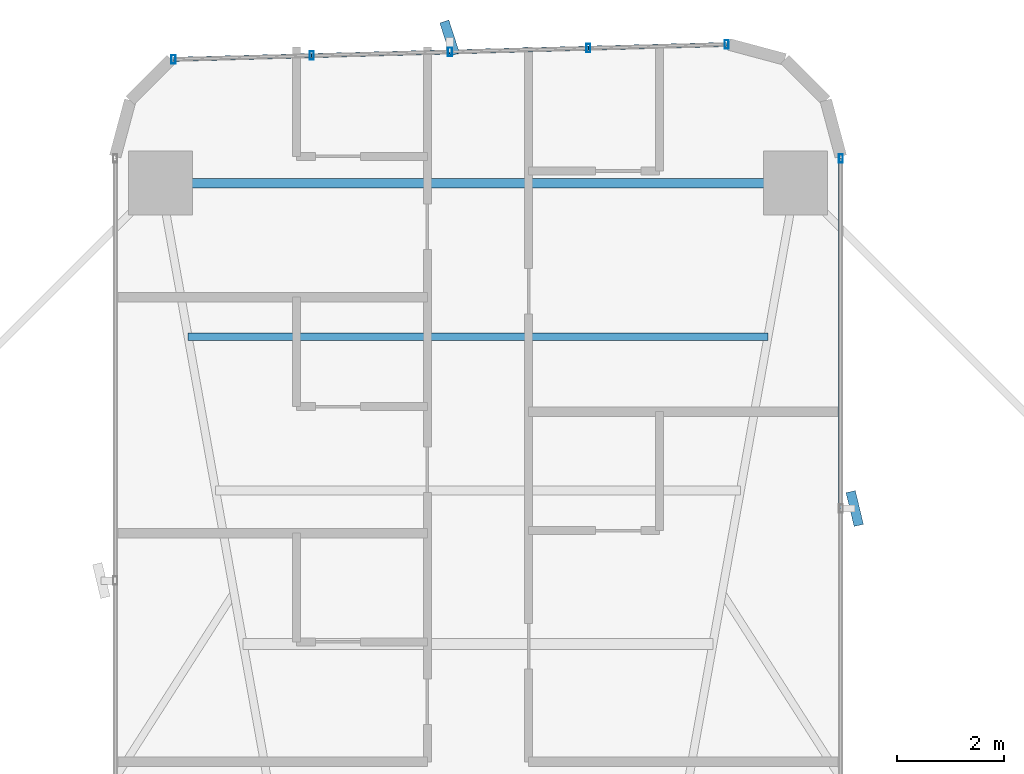
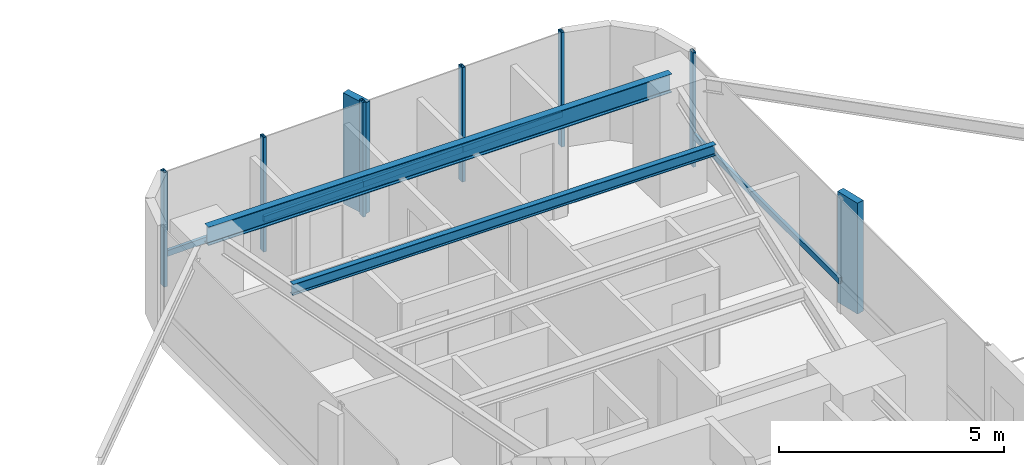
# One storey, part 19 of 25: 13 members, 2 beams, 2 elements without a shape of their own.
"""IFC4 building model written with IfcOpenShell, lengths in metres."""

from ifc_helpers import new_model, si_unit, direction, frame, origin, origin_2d, place, context, subcontext, project, spatial, rectangle, hollow_rectangle, i_section, extrude, source, transform, mapped, material, material_profile, profile_set, type_object, element, aggregate, save


model = new_model("IFC4")

# Units and contexts
model_context = context("Model", 3, precision=1e-05, world=origin(), true_north=direction((0.0, 1.0)))
body_context = subcontext(model_context, "Body", "Model", "MODEL_VIEW")
ifc_project = project(units=[si_unit("LENGTHUNIT", "METRE"), si_unit("AREAUNIT", "SQUARE_METRE"), si_unit("VOLUMEUNIT", "CUBIC_METRE"), si_unit("PLANEANGLEUNIT", "RADIAN"), si_unit("MASSUNIT", "GRAM", prefix="KILO")], contexts=[model_context])

# Site, building, storey
site_placement = place(None, origin())
site = spatial("IfcSite", under=ifc_project, at=site_placement, CompositionType="ELEMENT")
building_placement = place(site_placement, origin())
building = spatial("IfcBuilding", under=site, at=building_placement, Name="Sahyath Konkavel Grand Hotel", CompositionType="ELEMENT")
storey_placement = place(building_placement, frame((0.0, 0.0, 36.5)))
storey = spatial("IfcBuildingStorey", under=building, at=storey_placement, Name="L09", CompositionType="ELEMENT", Elevation=36.5)

# Beams
ifc_material_1 = material(Name="Steel E350", Category="steel")
ifc_material_profile_1 = material_profile(ifc_material_1, i_section(OverallWidth=0.179931640625, OverallDepth=0.5, WebThickness=0.01025390625, FlangeThickness=0.01708984375, FilletRadius=0.01708984375, at=origin_2d()), Name="ISMB 500")
ifc_profile_set_1 = profile_set([ifc_material_profile_1], Name="Steel E350")
beam_type_1 = type_object("IfcBeamType", Name="BM-ISMB500", PredefinedType="BEAM", material=ifc_profile_set_1)
shared_shape_1 = source(origin(), body_context, "Body", "SweptSolid", [
    extrude(i_section(OverallWidth=0.179931640625, OverallDepth=0.5, WebThickness=0.01025390625, FlangeThickness=0.01708984375, FilletRadius=0.01708984375, at=origin_2d()), origin(), (0.0, 0.0, 1.0), 11.89990234375),
])
beam_1_placement = place(storey_placement, frame((5.949951171875, 22.199951171875, 2.860107421875), z_axis=(-1.0, 0.0, 0.0), x_axis=(0.0, -1.0, 0.0)))
element("IfcBeam", 1, at=beam_1_placement, inside=storey, type_object=beam_type_1, Name="L09 Wing Tip Edge Beam N", PredefinedType="BEAM", context=body_context, shape_type="MappedRepresentation", body=[
    mapped(shared_shape_1, transform((0.0, 0.0, 0.0), scale=1.0)),
])
ifc_material_profile_2 = material_profile(ifc_material_1, i_section(OverallWidth=0.139892578125, OverallDepth=0.300048828125, WebThickness=0.0078125, FlangeThickness=0.01318359375, FilletRadius=0.013916015625, at=origin_2d()), Name="ISMB 300")
ifc_profile_set_2 = profile_set([ifc_material_profile_2], Name="Steel E350")
beam_type_2 = type_object("IfcBeamType", Name="BM-ISMB300", PredefinedType="BEAM", material=ifc_profile_set_2)
shared_shape_2 = source(origin(), body_context, "Body", "SweptSolid", [
    extrude(i_section(OverallWidth=0.139892578125, OverallDepth=0.300048828125, WebThickness=0.0078125, FlangeThickness=0.01318359375, FilletRadius=0.013916015625, at=origin_2d()), origin(), (0.0, 0.0, 1.0), 10.8681640625),
])
beam_2_placement = place(storey_placement, frame((5.43408203125, 19.320068359375, 2.9599609375), z_axis=(-1.0, 0.0, 0.0), x_axis=(0.0, -1.0, 0.0)))
element("IfcBeam", 2, at=beam_2_placement, inside=storey, type_object=beam_type_2, Name="L09 Secondary Floor Beam N-3", PredefinedType="BEAM", context=body_context, shape_type="MappedRepresentation", body=[
    mapped(shared_shape_2, transform((0.0, 0.0, 0.0), scale=1.0)),
])

# Curtain wall, member
ifc_material_2 = material(Name="Anodised Bronze Aluminium & Low-E Glazing", Category="aluminium")
curtain_wall_type = type_object("IfcCurtainWallType", Name="CW-ZONE1", PredefinedType="NOTDEFINED", material=ifc_material_2)
curtain_wall_1_placement = place(storey_placement, origin())
curtain_wall_1 = element("IfcCurtainWall", 3, at=curtain_wall_1_placement, inside=storey, type_object=curtain_wall_type, Name="L09 Unitised Curtain Wall F8", PredefinedType="NOTDEFINED")
ifc_material_3 = material(Name="Warm Buff Sandstone Cladding on Concrete C50/60", Category="masonry")
ifc_material_profile_3 = material_profile(ifc_material_3, rectangle(XDim=0.179931640625, YDim=0.64990234375, at=origin_2d()), Name="FIN 180x650")
ifc_profile_set_3 = profile_set([ifc_material_profile_3], Name="Warm Buff Sandstone Cladding on Concrete C50/60")
member_type_1 = type_object("IfcMemberType", Name="FIN-SANDSTONE-650", PredefinedType="MULLION", material=ifc_profile_set_3)
shared_shape_3 = source(origin(), body_context, "Body", "SweptSolid", [
    extrude(rectangle(XDim=0.179931640625, YDim=0.64990234375, at=origin_2d()), origin(), (0.0, 0.0, 1.0), 3.010009765625),
])
member_1_placement = place(storey_placement, frame((7.06005859375, 16.10009765625, 0.050048828125), z_axis=(0.0, 0.0, 1.0), x_axis=(0.972369920398, 0.233445363856, 0.0)))
member_1 = element("IfcMember", 4, at=member_1_placement, type_object=member_type_1, Name="L09 Sandstone Vertical Solar Fin FIN F8-1", PredefinedType="MULLION", context=body_context, shape_type="MappedRepresentation", body=[
    mapped(shared_shape_3, transform((0.0, 0.0, 0.0), scale=1.0)),
])

# Curtain wall, members
curtain_wall_2_placement = place(storey_placement, origin())
curtain_wall_2 = element("IfcCurtainWall", 5, at=curtain_wall_2_placement, inside=storey, type_object=curtain_wall_type, Name="L09 Unitised Curtain Wall F12", PredefinedType="NOTDEFINED")
member_2_placement = place(storey_placement, frame((-0.531982421875, 24.919189453125, 0.050048828125), z_axis=(0.0, 0.0, 1.0), x_axis=(0.951272019071, 0.30835295642, 0.0)))
member_2 = element("IfcMember", 6, at=member_2_placement, type_object=member_type_1, Name="L09 Sandstone Vertical Solar Fin FIN F12-2", PredefinedType="MULLION", context=body_context, shape_type="MappedRepresentation", body=[
    mapped(shared_shape_3, transform((0.0, 0.0, 0.0), scale=1.0)),
])
ifc_material_4 = material(Name="Anodised Bronze Aluminium", Category="aluminium")
ifc_material_profile_4 = material_profile(ifc_material_4, hollow_rectangle(XDim=0.080078125, YDim=0.159912109375, WallThickness=0.006103515625, at=origin_2d()), Name="RHS 160x80x6")
ifc_profile_set_4 = profile_set([ifc_material_profile_4], Name="Anodised Bronze Aluminium")
member_type_2 = type_object("IfcMemberType", Name="CW-TRN-160", PredefinedType="USERDEFINED", material=ifc_profile_set_4)
shared_shape_4 = source(origin(), body_context, "Body", "SweptSolid", [
    extrude(hollow_rectangle(XDim=0.080078125, YDim=0.159912109375, WallThickness=0.006103515625, at=origin_2d()), origin(), (0.0, 0.0, 1.0), 2.593505859375),
])
member_3_placement = place(storey_placement, frame((4.659912109375, 24.798828125, 0.85009765625), z_axis=(-0.999637507825, -0.026923093252, 0.0), x_axis=(0.026923093252, -0.999637507825, 0.0)))
member_3 = element("IfcMember", 7, at=member_3_placement, type_object=member_type_2, Name="L09 Curtain Wall Transom F12-0-spandrel", ObjectType="TRANSOM", PredefinedType="USERDEFINED", context=body_context, shape_type="MappedRepresentation", body=[
    mapped(shared_shape_4, transform((0.0, 0.0, 0.0), scale=1.0)),
])
member_4_placement = place(storey_placement, frame((-0.52490234375, 24.6591796875, 0.85009765625), z_axis=(-0.999640036937, -0.02682902444, 0.0), x_axis=(0.02682902444, -0.999640036937, 0.0)))
member_4 = element("IfcMember", 8, at=member_4_placement, type_object=member_type_2, Name="L09 Curtain Wall Transom F12-2-spandrel", ObjectType="TRANSOM", PredefinedType="USERDEFINED", context=body_context, shape_type="MappedRepresentation", body=[
    mapped(shared_shape_4, transform((0.0, 0.0, 0.0), scale=1.0)),
])
member_5_placement = place(storey_placement, frame((-3.117431640625, 24.589599609375, 0.85009765625), z_axis=(-0.999637507825, -0.026923093252, 0.0), x_axis=(0.026923093252, -0.999637507825, 0.0)))
member_5 = element("IfcMember", 9, at=member_5_placement, type_object=member_type_2, Name="L09 Curtain Wall Transom F12-3-spandrel", ObjectType="TRANSOM", PredefinedType="USERDEFINED", context=body_context, shape_type="MappedRepresentation", body=[
    mapped(shared_shape_4, transform((0.0, 0.0, 0.0), scale=1.0)),
])
shared_shape_5 = source(origin(), body_context, "Body", "SweptSolid", [
    extrude(hollow_rectangle(XDim=0.080078125, YDim=0.159912109375, WallThickness=0.006103515625, at=origin_2d()), origin(), (0.0, 0.0, 1.0), 2.59326171875),
])
member_6_placement = place(storey_placement, frame((2.0673828125, 24.72900390625, 0.85009765625), z_axis=(-0.99963743958, -0.026925627022, 0.0), x_axis=(0.026925627022, -0.99963743958, 0.0)))
member_6 = element("IfcMember", 10, at=member_6_placement, type_object=member_type_2, Name="L09 Curtain Wall Transom F12-1-spandrel", ObjectType="TRANSOM", PredefinedType="USERDEFINED", context=body_context, shape_type="MappedRepresentation", body=[
    mapped(shared_shape_5, transform((0.0, 0.0, 0.0), scale=1.0)),
])

# Member
ifc_material_profile_5 = material_profile(ifc_material_4, hollow_rectangle(XDim=0.080078125, YDim=0.159912109375, WallThickness=0.006103515625, at=origin_2d()), Name="RHS 160x80x6")
ifc_profile_set_5 = profile_set([ifc_material_profile_5], Name="Anodised Bronze Aluminium")
member_type_3 = type_object("IfcMemberType", Name="CW-MUL-160", PredefinedType="MULLION", material=ifc_profile_set_5)
shared_shape_6 = source(origin(), body_context, "Body", "SweptSolid", [
    extrude(hollow_rectangle(XDim=0.080078125, YDim=0.159912109375, WallThickness=0.006103515625, at=origin_2d()), origin(), (0.0, 0.0, 1.0), 3.110107421875),
])
member_7_placement = place(storey_placement, frame((6.800048828125, 22.659912109375, 0.0), z_axis=(0.0, 0.0, 1.0), x_axis=(1.0, 0.0, 0.0)))
member_7 = element("IfcMember", 11, at=member_7_placement, type_object=member_type_3, Name="L09 Curtain Wall Mullion F8-2", PredefinedType="MULLION", context=body_context, shape_type="MappedRepresentation", body=[
    mapped(shared_shape_6, transform((0.0, 0.0, 0.0), scale=1.0)),
])

member_8_placement = place(storey_placement, frame((4.659912109375, 24.798828125, 0.0), z_axis=(0.0, 0.0, 1.0), x_axis=(1.0, 0.0, 0.0)))
member_8 = element("IfcMember", 12, at=member_8_placement, type_object=member_type_3, Name="L09 Curtain Wall Mullion F12-0", PredefinedType="MULLION", context=body_context, shape_type="MappedRepresentation", body=[
    mapped(shared_shape_6, transform((0.0, 0.0, 0.0), scale=1.0)),
])

member_9_placement = place(storey_placement, frame((2.0673828125, 24.72900390625, 0.0), z_axis=(0.0, 0.0, 1.0), x_axis=(1.0, 0.0, 0.0)))
member_9 = element("IfcMember", 13, at=member_9_placement, type_object=member_type_3, Name="L09 Curtain Wall Mullion F12-1", PredefinedType="MULLION", context=body_context, shape_type="MappedRepresentation", body=[
    mapped(shared_shape_6, transform((0.0, 0.0, 0.0), scale=1.0)),
])

member_10_placement = place(storey_placement, frame((-0.52490234375, 24.6591796875, 0.0), z_axis=(0.0, 0.0, 1.0), x_axis=(1.0, 0.0, 0.0)))
member_10 = element("IfcMember", 14, at=member_10_placement, type_object=member_type_3, Name="L09 Curtain Wall Mullion F12-2", PredefinedType="MULLION", context=body_context, shape_type="MappedRepresentation", body=[
    mapped(shared_shape_6, transform((0.0, 0.0, 0.0), scale=1.0)),
])

member_11_placement = place(storey_placement, frame((-3.117431640625, 24.589599609375, 0.0), z_axis=(0.0, 0.0, 1.0), x_axis=(1.0, 0.0, 0.0)))
member_11 = element("IfcMember", 15, at=member_11_placement, type_object=member_type_3, Name="L09 Curtain Wall Mullion F12-3", PredefinedType="MULLION", context=body_context, shape_type="MappedRepresentation", body=[
    mapped(shared_shape_6, transform((0.0, 0.0, 0.0), scale=1.0)),
])

member_12_placement = place(storey_placement, frame((-5.7099609375, 24.519775390625, 0.0), z_axis=(0.0, 0.0, 1.0), x_axis=(1.0, 0.0, 0.0)))
member_12 = element("IfcMember", 16, at=member_12_placement, type_object=member_type_3, Name="L09 Curtain Wall Mullion F12-4", PredefinedType="MULLION", context=body_context, shape_type="MappedRepresentation", body=[
    mapped(shared_shape_6, transform((0.0, 0.0, 0.0), scale=1.0)),
])

aggregate(curtain_wall_2, [member_8, member_9, member_10, member_2, member_11, member_12, member_3, member_6, member_4, member_5])

shared_shape_7 = source(origin(), body_context, "Body", "SweptSolid", [
    extrude(hollow_rectangle(XDim=0.080078125, YDim=0.159912109375, WallThickness=0.006103515625, at=origin_2d()), origin(), (0.0, 0.0, 1.0), 6.559814453125),
])
member_13_placement = place(storey_placement, frame((6.800048828125, 16.10009765625, 0.85009765625), z_axis=(0.0, 1.0, 0.0), x_axis=(-1.0, 0.0, 0.0)))
member_13 = element("IfcMember", 17, at=member_13_placement, type_object=member_type_2, Name="L09 Curtain Wall Transom F8-1-spandrel", ObjectType="TRANSOM", PredefinedType="USERDEFINED", context=body_context, shape_type="MappedRepresentation", body=[
    mapped(shared_shape_7, transform((0.0, 0.0, 0.0), scale=1.0)),
])

aggregate(curtain_wall_1, [member_1, member_7, member_13])

save(model, "model.ifc")
